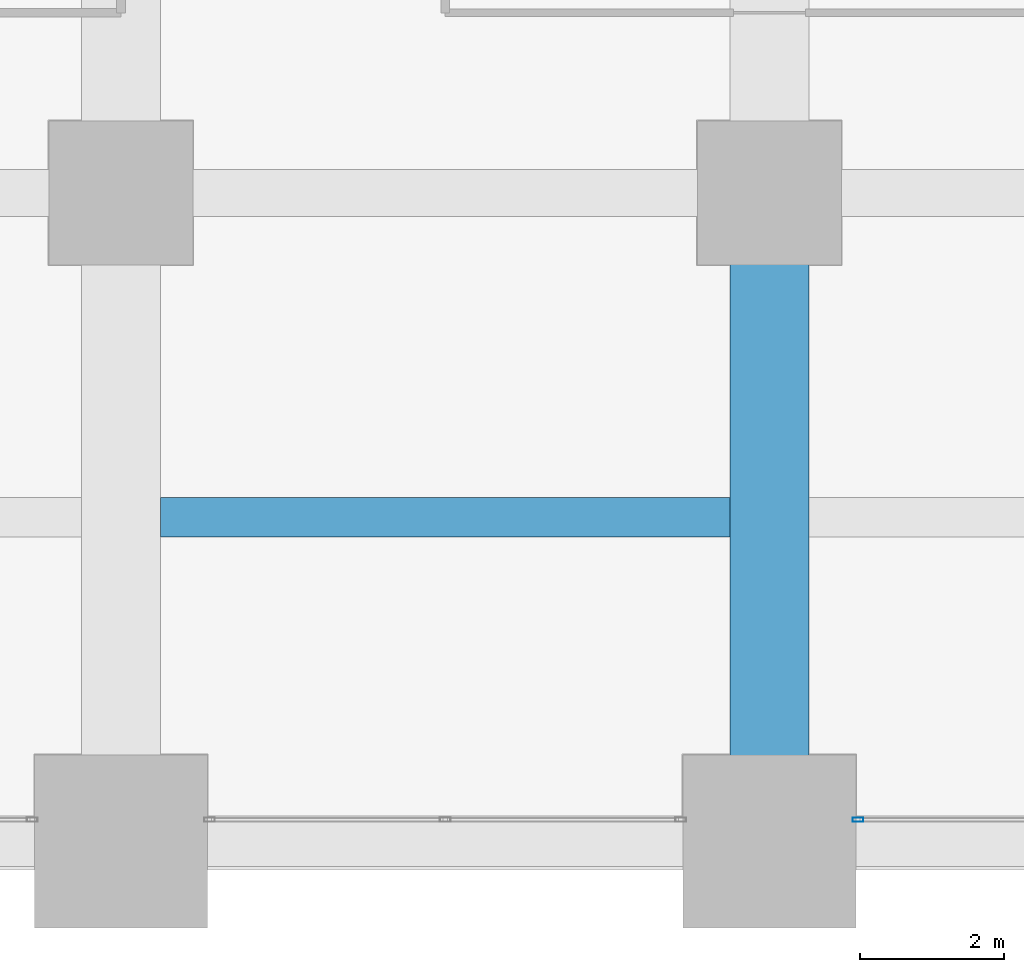
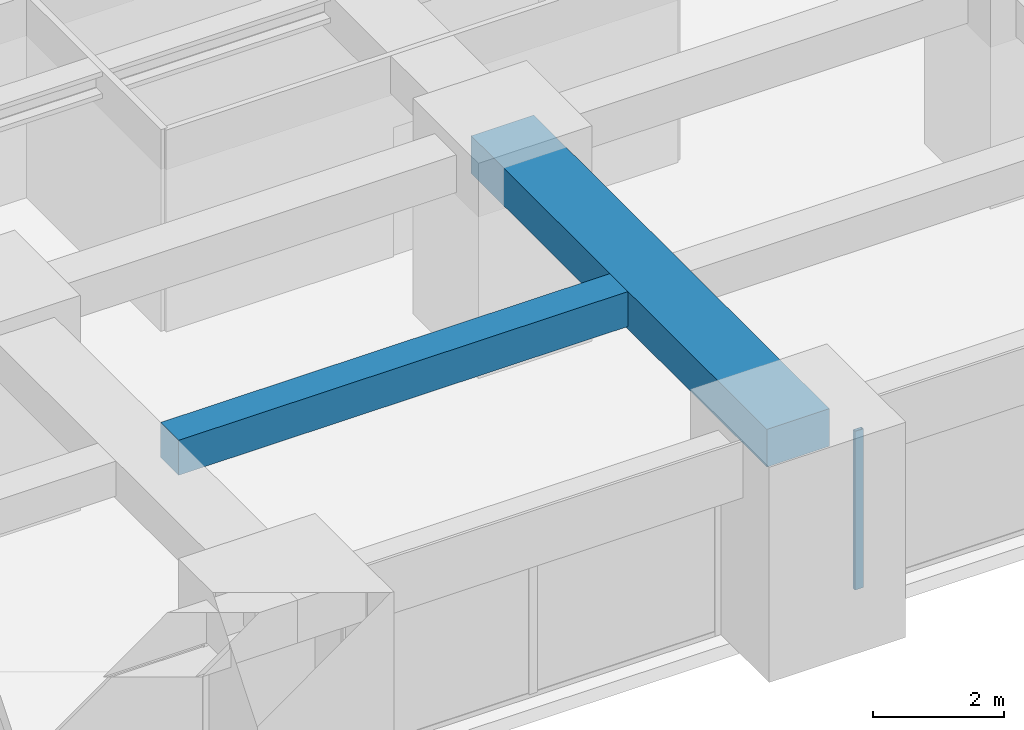
# One storey, part 14 of 41: 2 beams, 1 member, 1 element without a shape of its own.
"""IFC4 building model written with IfcOpenShell, lengths in metres."""

from ifc_helpers import new_model, si_unit, direction, frame, origin, origin_2d, place, context, subcontext, project, spatial, rectangle, hollow_rectangle, extrude, material, material_profile, profile_set, type_object, element, aggregate, save


model = new_model("IFC4")

# Units and contexts
model_context = context("Model", 3, precision=1e-05, world=origin(), true_north=direction((0.0, 1.0)))
body_context = subcontext(model_context, "Body", "Model", "MODEL_VIEW")
ifc_project = project(units=[si_unit("LENGTHUNIT", "METRE"), si_unit("AREAUNIT", "SQUARE_METRE"), si_unit("VOLUMEUNIT", "CUBIC_METRE"), si_unit("PLANEANGLEUNIT", "RADIAN"), si_unit("MASSUNIT", "GRAM", prefix="KILO")], contexts=[model_context])

# Site, building, storey
site_placement = place(None, origin())
site = spatial("IfcSite", under=ifc_project, at=site_placement, CompositionType="ELEMENT")
building_placement = place(site_placement, origin())
building = spatial("IfcBuilding", under=site, at=building_placement, Name="Zorevar Civic Tower", CompositionType="ELEMENT")
storey_placement = place(building_placement, frame((0.0, 0.0, 113.0)))
storey = spatial("IfcBuildingStorey", under=building, at=storey_placement, Name="L27", CompositionType="ELEMENT", Elevation=113.0)

# Beams
ifc_material_1 = material(Name="Concrete C50/60", Category="concrete")
ifc_material_profile_1 = material_profile(ifc_material_1, rectangle(XDim=1.10009765625, YDim=0.699951171875, at=origin_2d()), Name="RC 1100x700")
ifc_profile_set_1 = profile_set([ifc_material_profile_1], Name="Concrete C50/60")
beam_type_1 = type_object("IfcBeamType", Name="Beam RC 1100x700", PredefinedType="BEAM", material=ifc_profile_set_1)
beam_1_placement = place(storey_placement, frame((45.0, 0.0, 3.39990234375), z_axis=(0.0, 1.0, 0.0), x_axis=(-1.0, 0.0, 0.0)))
element("IfcBeam", 1, at=beam_1_placement, inside=storey, type_object=beam_type_1, Name="Girder L28", PredefinedType="BEAM", context=body_context, shape_type="SweptSolid", body=[
    extrude(rectangle(XDim=1.10009765625, YDim=0.699951171875, at=origin_2d()), origin(), (0.0, 0.0, 1.0), 9.0),
])
ifc_material_2 = material(Name="Concrete C50/60", Category="concrete")
ifc_material_profile_2 = material_profile(ifc_material_2, rectangle(XDim=0.550048828125, YDim=0.64990234375, at=origin_2d()), Name="RC 550x650")
ifc_profile_set_2 = profile_set([ifc_material_profile_2], Name="Concrete C50/60")
beam_type_2 = type_object("IfcBeamType", Name="Beam RC 550x650", PredefinedType="BEAM", material=ifc_profile_set_2)
beam_2_placement = place(storey_placement, frame((36.550048828125, 4.5, 3.425048828125), z_axis=(1.0, 0.0, 0.0), x_axis=(0.0, 1.0, 0.0)))
element("IfcBeam", 2, at=beam_2_placement, inside=storey, type_object=beam_type_2, Name="Secondary beam L28", PredefinedType="BEAM", context=body_context, shape_type="SweptSolid", body=[
    extrude(rectangle(XDim=0.550048828125, YDim=0.64990234375, at=origin_2d()), origin(), (0.0, 0.0, 1.0), 7.89990234375),
])

# Curtain wall, member
ifc_material_3 = material(Name="Dark grey solar-control glass in black aluminium frame", Category="aluminium")
curtain_wall_type = type_object("IfcCurtainWallType", Name="Curtain wall CW3 mid zone", PredefinedType="NOTDEFINED", material=ifc_material_3)
curtain_wall_placement = place(storey_placement, origin())
curtain_wall = element("IfcCurtainWall", 3, at=curtain_wall_placement, inside=storey, type_object=curtain_wall_type, Name="CW3 L27", PredefinedType="NOTDEFINED")
ifc_material_4 = material(Name="Aluminium, black anodised", Category="aluminium")
ifc_material_profile_3 = material_profile(ifc_material_4, hollow_rectangle(XDim=0.06005859375, YDim=0.14990234375, WallThickness=0.00390625, at=origin_2d()), Name="AL 150x60x4")
ifc_profile_set_3 = profile_set([ifc_material_profile_3], Name="Aluminium, black anodised")
member_type = type_object("IfcMemberType", Name="CW3 mullion AL 150x60x4", PredefinedType="MULLION", material=ifc_profile_set_3)
member_placement = place(storey_placement, frame((46.22998046875, 0.300048828125, 0.0), z_axis=(0.0, 0.0, 1.0), x_axis=(0.0, 1.0, 0.0)))
member = element("IfcMember", 4, at=member_placement, type_object=member_type, Name="CW3 mullion 1", PredefinedType="MULLION", context=body_context, shape_type="SweptSolid", body=[
    extrude(hollow_rectangle(XDim=0.06005859375, YDim=0.14990234375, WallThickness=0.00390625, at=origin_2d()), origin(), (0.0, 0.0, 1.0), 2.949951171875),
])
aggregate(curtain_wall, [member])

save(model, "model.ifc")
